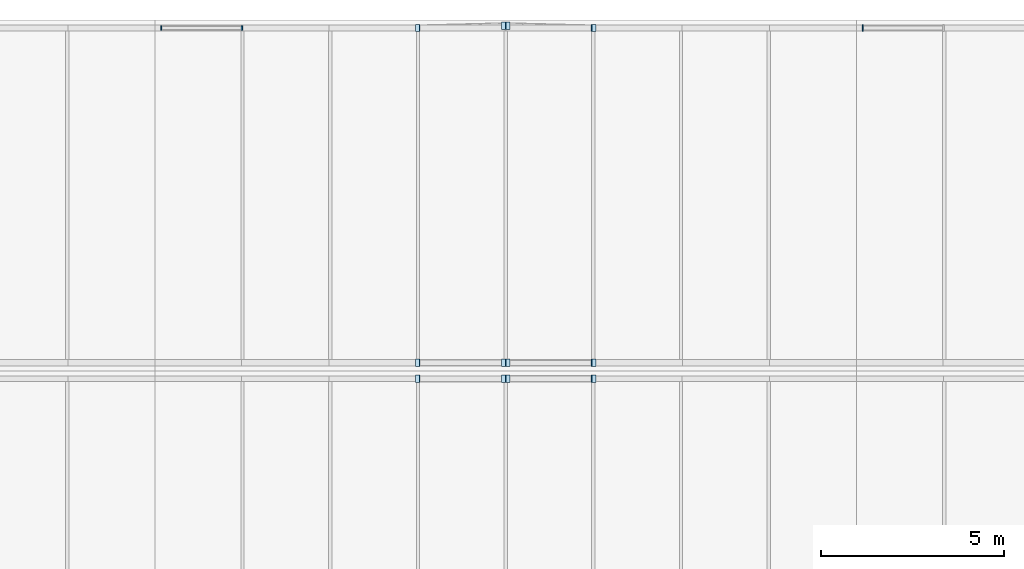
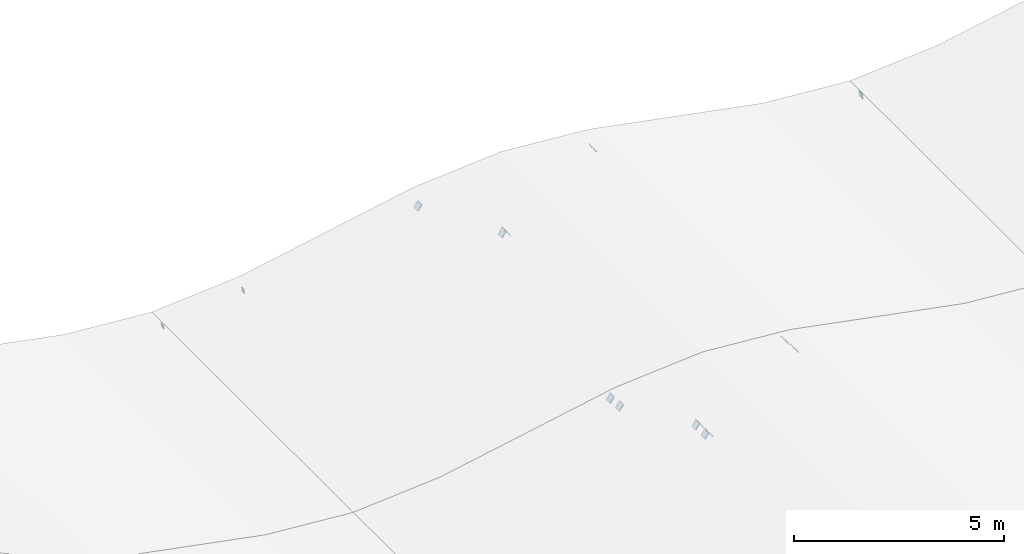
# One storey, part 148 of 170: 15 plates.
"""IFC4 building model written with IfcOpenShell, lengths in metres."""

from ifc_helpers import new_model, si_unit, direction, frame, origin, origin_2d, place, context, subcontext, project, spatial, rectangle, extrude, material, layer, layer_set, type_object, element, save


model = new_model("IFC4")

# Units and contexts
model_context = context("Model", 3, precision=1e-05, world=origin(), true_north=direction((0.0, 1.0)))
body_context = subcontext(model_context, "Body", "Model", "MODEL_VIEW")
ifc_project = project(units=[si_unit("LENGTHUNIT", "METRE"), si_unit("AREAUNIT", "SQUARE_METRE"), si_unit("VOLUMEUNIT", "CUBIC_METRE"), si_unit("PLANEANGLEUNIT", "RADIAN"), si_unit("MASSUNIT", "GRAM", prefix="KILO")], contexts=[model_context])

# Site, building, storey
site_placement = place(None, origin())
site = spatial("IfcSite", under=ifc_project, at=site_placement, CompositionType="ELEMENT")
building_placement = place(site_placement, origin())
building = spatial("IfcBuilding", under=site, at=building_placement, Name="Coralgate Yard Interchange", CompositionType="ELEMENT")
storey_placement = place(building_placement, frame((0.0, 0.0, 6.0)))
storey = spatial("IfcBuildingStorey", under=building, at=storey_placement, Name="L01", CompositionType="ELEMENT", Elevation=6.0)

# Plates
ifc_material = material(Name="Structural steel S355J2", Category="steel")
ifc_layer = layer(ifc_material, 0.01806640625)
ifc_layer_set = layer_set([ifc_layer], Name="Structural steel S355J2")
plate_type = type_object("IfcPlateType", Name="PLT-EP-18", PredefinedType="USERDEFINED", material=ifc_layer_set)
for number, where, z_axis, x_axis, name in (
    (1, (143.9384765625, 105.3798828125, -0.678955078125), (0.821435746077, 0.0, -0.570301074054), (0.0, 1.0, 0.0), "Steel hollow section end cap plate CAP-WVBR-R1-W6-N-L-0"),
    (2, (141.6015625, 105.3798828125, 0.943359375), (-0.821435746077, 0.0, 0.570301074054), (0.0, -1.0, 0.0), "Steel hollow section end cap plate CAP-WVBR-R1-W6-N-L-1"),
    (3, (144.0615234375, 105.3798828125, -0.678955078125), (-0.821435746077, 0.0, -0.570301074054), (0.0, -1.0, 0.0), "Steel hollow section end cap plate CAP-WVBR-R1-W6-N-R-0"),
    (4, (146.3984375, 105.3798828125, 0.943359375), (0.821435746077, 0.0, 0.570301074054), (0.0, 1.0, 0.0), "Steel hollow section end cap plate CAP-WVBR-R1-W6-N-R-1"),
    (5, (143.938232421875, 105.820068359375, -0.6787109375), (0.827189409026, 0.0, -0.561923199018), (0.0, 1.0, 0.0), "Steel hollow section end cap plate CAP-WVBR-R2-W6-S-L-0"),
    (6, (141.601806640625, 105.820068359375, 0.908447265625), (-0.827189409026, 0.0, 0.561923199018), (0.0, -1.0, 0.0), "Steel hollow section end cap plate CAP-WVBR-R2-W6-S-L-1"),
    (7, (144.061767578125, 105.820068359375, -0.6787109375), (-0.827189409026, 0.0, -0.561923199018), (0.0, -1.0, 0.0), "Steel hollow section end cap plate CAP-WVBR-R2-W6-S-R-0"),
    (8, (146.398193359375, 105.820068359375, 0.908447265625), (0.827189409026, 0.0, 0.561923199018), (0.0, 1.0, 0.0), "Steel hollow section end cap plate CAP-WVBR-R2-W6-S-R-1"),
    (9, (143.9384765625, 115.0400390625, -0.678955078125), (0.821435746077, 0.0, -0.570301074054), (0.0, 1.0, 0.0), "Steel hollow section end cap plate CAP-WVBR-R2-W6-N-L-0"),
    (10, (141.6015625, 114.97998046875, 0.943359375), (-0.821435746077, 0.0, 0.570301074054), (0.0, -1.0, 0.0), "Steel hollow section end cap plate CAP-WVBR-R2-W6-N-L-1"),
    (11, (144.0615234375, 115.0400390625, -0.678955078125), (-0.821435746077, 0.0, -0.570301074054), (0.0, -1.0, 0.0), "Steel hollow section end cap plate CAP-WVBR-R2-W6-N-R-0"),
    (12, (146.3984375, 114.97998046875, 0.943359375), (0.821435746077, 0.0, 0.570301074054), (0.0, 1.0, 0.0), "Steel hollow section end cap plate CAP-WVBR-R2-W6-N-R-1"),
):
    element("IfcPlate", number, at=place(storey_placement, frame(where, z_axis=z_axis, x_axis=x_axis)), inside=storey, type_object=plate_type, Name=name, ObjectType="CAP PLATE", PredefinedType="USERDEFINED", context=body_context, shape_type="SweptSolid", body=[
        extrude(rectangle(XDim=0.197998046875, YDim=0.197998046875, at=origin_2d()), origin(), (0.0, 0.0, 1.0), 0.01806640625),
    ])
for number, where, z_axis, x_axis, name in (
    (13, (134.58203125, 114.97998046875, -0.079833984375), (-0.993088841046, 0.0, -0.117365045005), (0.0, -1.0, 0.0), "Steel hollow section end cap plate CAP-WSUB-06-0"),
    (14, (136.77783203125, 114.97998046875, 0.179931640625), (0.993088841046, 0.0, 0.117365045005), (0.0, 1.0, 0.0), "Steel hollow section end cap plate CAP-WSUB-06-1"),
):
    element("IfcPlate", number, at=place(storey_placement, frame(where, z_axis=z_axis, x_axis=x_axis)), inside=storey, type_object=plate_type, Name=name, ObjectType="CAP PLATE", PredefinedType="USERDEFINED", context=body_context, shape_type="SweptSolid", body=[
        extrude(rectangle(XDim=0.1298828125, YDim=0.1298828125, at=origin_2d()), origin(), (0.0, 0.0, 1.0), 0.01806640625),
    ])
plate_placement = place(storey_placement, frame((153.781982421875, 114.97998046875, -0.079833984375), z_axis=(-0.993088841046, 0.0, -0.117365045005), x_axis=(0.0, -1.0, 0.0)))
element("IfcPlate", 15, at=plate_placement, inside=storey, type_object=plate_type, Name="Steel hollow section end cap plate CAP-WSUB-07-0", ObjectType="CAP PLATE", PredefinedType="USERDEFINED", context=body_context, shape_type="SweptSolid", body=[
    extrude(rectangle(XDim=0.169921875, YDim=0.169921875, at=origin_2d()), origin(), (0.0, 0.0, 1.0), 0.01806640625),
])

save(model, "model.ifc")
